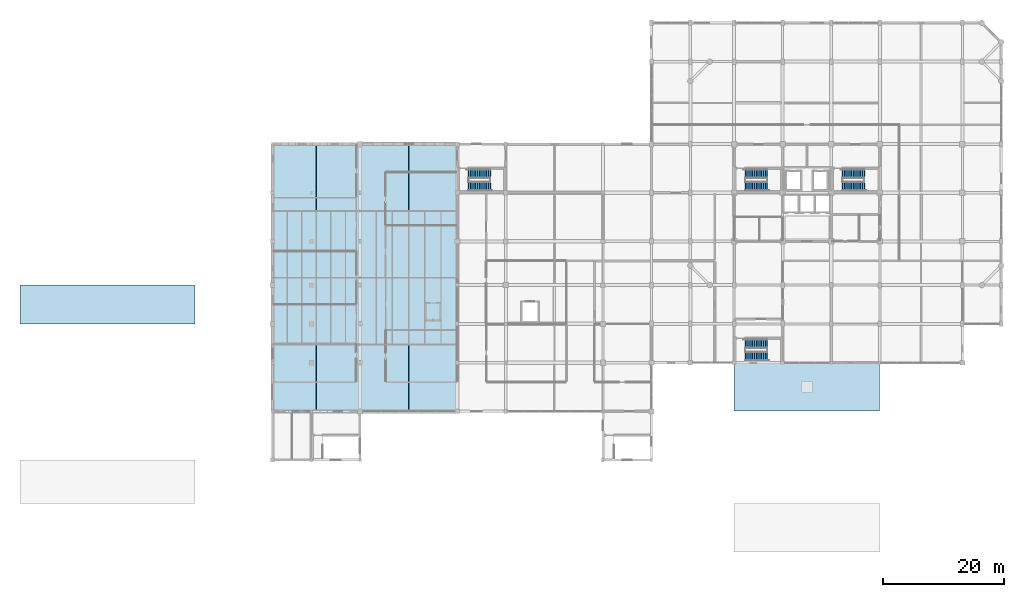
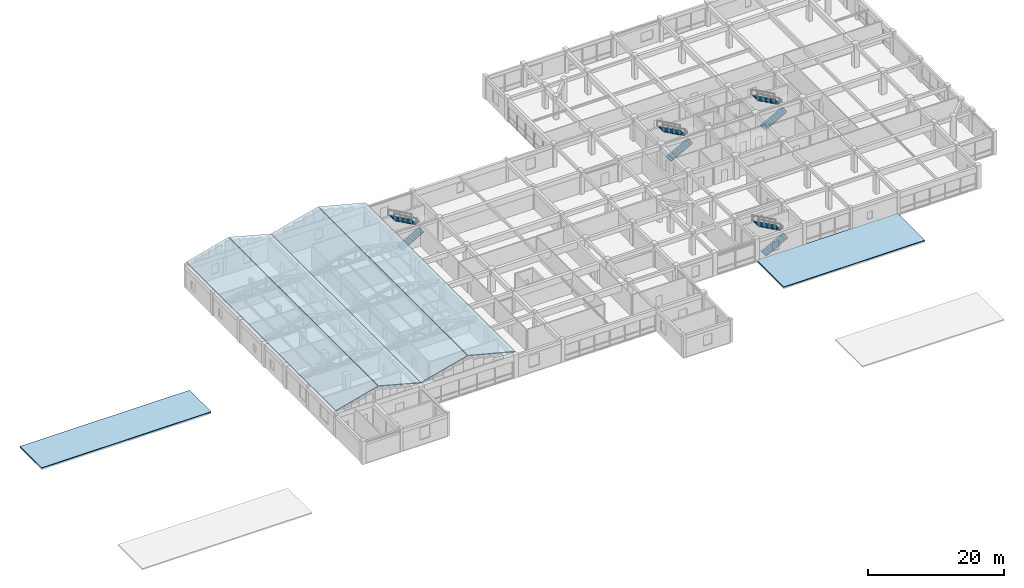
# One storey, part 33 of 35: 8 stair flights, 6 roofs, 4 elements without a shape of their own.
"""IFC4 building model written with IfcOpenShell, lengths in metres."""

from ifc_helpers import new_model, si_unit, direction, frame, origin, place, context, subcontext, project, spatial, polyline, outline, extrude, material, layer, layer_set, type_object, element, aggregate, save


model = new_model("IFC4")

# Units and contexts
model_context = context("Model", 3, precision=1e-05, world=origin(), true_north=direction((0.0, 1.0)))
body_context = subcontext(model_context, "Body", "Model", "MODEL_VIEW")
ifc_project = project(units=[si_unit("LENGTHUNIT", "METRE"), si_unit("AREAUNIT", "SQUARE_METRE"), si_unit("VOLUMEUNIT", "CUBIC_METRE"), si_unit("PLANEANGLEUNIT", "RADIAN"), si_unit("MASSUNIT", "GRAM", prefix="KILO")], contexts=[model_context])

# Site, building, storey
site_placement = place(None, origin())
site = spatial("IfcSite", under=ifc_project, at=site_placement, CompositionType="ELEMENT")
building_placement = place(site_placement, origin())
building = spatial("IfcBuilding", under=site, at=building_placement, Name="Vellmiral Cinema and Media Centre", CompositionType="ELEMENT")
storey_placement = place(building_placement, frame((0.0, 0.0, 15.60009765625)))
storey = spatial("IfcBuildingStorey", under=building, at=storey_placement, Name="L03", CompositionType="ELEMENT", Elevation=15.60009765625)

# Stair, stair flights
ifc_material_1 = material(Name="Concrete C40/50", Category="concrete")
stair_type = type_object("IfcStairType", Name="ST-2RET-420", PredefinedType="HALF_TURN_STAIR", material=ifc_material_1)
stair_1_placement = place(storey_placement, origin())
stair_1 = element("IfcStair", 1, at=stair_1_placement, inside=storey, type_object=stair_type, Name="Protected Escape Stair ST-P5 (L03)", PredefinedType="HALF_TURN_STAIR")
ifc_material_2 = material(Name="Concrete C40/50", Category="concrete")
stair_flight_type = type_object("IfcStairFlightType", Name="STF-STR-420", PredefinedType="STRAIGHT", material=ifc_material_2)
stair_flight_1_placement = place(storey_placement, frame((80.25, 88.25, 0.0), z_axis=(0.0, 0.0, 1.0), x_axis=(1.0, 0.0, 0.0)))
stair_flight_1 = element("IfcStairFlight", 2, at=stair_flight_1_placement, type_object=stair_flight_type, Name="ST-P5 flight 1", NumberOfRisers=13, NumberOfTreads=12, PredefinedType="STRAIGHT", RiserHeight=0.161538462, TreadLength=0.3, context=body_context, shape_type="SweptSolid", body=[
    extrude(outline(polyline([(-0.080078125, 0.0), (-0.080078125, 0.096923828125), (0.0, 0.16162109375), (0.300048828125, 0.16162109375), (0.300048828125, 0.322998046875), (0.60009765625, 0.322998046875), (0.60009765625, 0.484619140625), (0.89990234375, 0.484619140625), (0.89990234375, 0.646240234375), (1.199951171875, 0.646240234375), (1.199951171875, 0.8076171875), (1.5, 0.8076171875), (1.5, 0.96923828125), (1.800048828125, 0.96923828125), (1.800048828125, 1.130859375), (2.10009765625, 1.130859375), (2.10009765625, 1.292236328125), (2.39990234375, 1.292236328125), (2.39990234375, 1.453857421875), (2.699951171875, 1.453857421875), (2.699951171875, 1.615478515625), (3.0, 1.615478515625), (3.0, 1.77685546875), (3.300048828125, 1.77685546875), (3.300048828125, 1.9384765625), (3.60009765625, 1.9384765625), (3.60009765625, 2.10009765625), (3.68017578125, 2.10009765625), (3.68017578125, 1.940185546875), (0.179931640625, 0.0), (-0.080078125, 0.0)])), frame((0.0, 0.75, 0.0), z_axis=(0.0, -1.0, 0.0), x_axis=(1.0, 0.0, 0.0)), (0.0, 0.0, 1.0), 1.5),
])
stair_flight_2_placement = place(storey_placement, frame((83.85009765625, 90.35009765625, 2.099853515625), z_axis=(0.0, 0.0, 1.0), x_axis=(-1.0, 0.0, 0.0)))
stair_flight_2 = element("IfcStairFlight", 3, at=stair_flight_2_placement, type_object=stair_flight_type, Name="ST-P5 flight 2", NumberOfRisers=13, NumberOfTreads=12, PredefinedType="STRAIGHT", RiserHeight=0.161538462, TreadLength=0.3, context=body_context, shape_type="SweptSolid", body=[
    extrude(outline(polyline([(-0.080078125, 0.0), (-0.080078125, 0.096923828125), (0.0, 0.16162109375), (0.300048828125, 0.16162109375), (0.300048828125, 0.322998046875), (0.60009765625, 0.322998046875), (0.60009765625, 0.484619140625), (0.89990234375, 0.484619140625), (0.89990234375, 0.646240234375), (1.199951171875, 0.646240234375), (1.199951171875, 0.8076171875), (1.5, 0.8076171875), (1.5, 0.96923828125), (1.800048828125, 0.96923828125), (1.800048828125, 1.130859375), (2.10009765625, 1.130859375), (2.10009765625, 1.292236328125), (2.39990234375, 1.292236328125), (2.39990234375, 1.453857421875), (2.699951171875, 1.453857421875), (2.699951171875, 1.615478515625), (3.0, 1.615478515625), (3.0, 1.77685546875), (3.300048828125, 1.77685546875), (3.300048828125, 1.9384765625), (3.60009765625, 1.9384765625), (3.60009765625, 2.10009765625), (3.68017578125, 2.10009765625), (3.68017578125, 1.940185546875), (0.179931640625, 0.0), (-0.080078125, 0.0)])), frame((0.0, 0.75, 0.0), z_axis=(0.0, -1.0, 0.0), x_axis=(1.0, 0.0, 0.0)), (0.0, 0.0, 1.0), 1.5),
])
aggregate(stair_1, [stair_flight_1, stair_flight_2])

stair_2_placement = place(storey_placement, origin())
stair_2 = element("IfcStair", 4, at=stair_2_placement, inside=storey, type_object=stair_type, Name="Protected Escape Stair ST-P6 (L03)", PredefinedType="HALF_TURN_STAIR")
stair_flight_3_placement = place(storey_placement, frame((125.85009765625, 60.25, 0.0), z_axis=(0.0, 0.0, 1.0), x_axis=(1.0, 0.0, 0.0)))
stair_flight_3 = element("IfcStairFlight", 5, at=stair_flight_3_placement, type_object=stair_flight_type, Name="ST-P6 flight 1", NumberOfRisers=13, NumberOfTreads=12, PredefinedType="STRAIGHT", RiserHeight=0.161538462, TreadLength=0.3, context=body_context, shape_type="SweptSolid", body=[
    extrude(outline(polyline([(-0.080078125, 0.0), (-0.080078125, 0.096923828125), (0.0, 0.16162109375), (0.300048828125, 0.16162109375), (0.300048828125, 0.322998046875), (0.60009765625, 0.322998046875), (0.60009765625, 0.484619140625), (0.89990234375, 0.484619140625), (0.89990234375, 0.646240234375), (1.199951171875, 0.646240234375), (1.199951171875, 0.8076171875), (1.5, 0.8076171875), (1.5, 0.96923828125), (1.800048828125, 0.96923828125), (1.800048828125, 1.130859375), (2.10009765625, 1.130859375), (2.10009765625, 1.292236328125), (2.39990234375, 1.292236328125), (2.39990234375, 1.453857421875), (2.699951171875, 1.453857421875), (2.699951171875, 1.615478515625), (3.0, 1.615478515625), (3.0, 1.77685546875), (3.300048828125, 1.77685546875), (3.300048828125, 1.9384765625), (3.60009765625, 1.9384765625), (3.60009765625, 2.10009765625), (3.68017578125, 2.10009765625), (3.68017578125, 1.940185546875), (0.179931640625, 0.0), (-0.080078125, 0.0)])), frame((0.0, 0.75, 0.0), z_axis=(0.0, -1.0, 0.0), x_axis=(1.0, 0.0, 0.0)), (0.0, 0.0, 1.0), 1.5),
])
stair_flight_4_placement = place(storey_placement, frame((129.449951171875, 62.35009765625, 2.099853515625), z_axis=(0.0, 0.0, 1.0), x_axis=(-1.0, 0.0, 0.0)))
stair_flight_4 = element("IfcStairFlight", 6, at=stair_flight_4_placement, type_object=stair_flight_type, Name="ST-P6 flight 2", NumberOfRisers=13, NumberOfTreads=12, PredefinedType="STRAIGHT", RiserHeight=0.161538462, TreadLength=0.3, context=body_context, shape_type="SweptSolid", body=[
    extrude(outline(polyline([(-0.080078125, 0.0), (-0.080078125, 0.096923828125), (0.0, 0.16162109375), (0.300048828125, 0.16162109375), (0.300048828125, 0.322998046875), (0.60009765625, 0.322998046875), (0.60009765625, 0.484619140625), (0.89990234375, 0.484619140625), (0.89990234375, 0.646240234375), (1.199951171875, 0.646240234375), (1.199951171875, 0.8076171875), (1.5, 0.8076171875), (1.5, 0.96923828125), (1.800048828125, 0.96923828125), (1.800048828125, 1.130859375), (2.10009765625, 1.130859375), (2.10009765625, 1.292236328125), (2.39990234375, 1.292236328125), (2.39990234375, 1.453857421875), (2.699951171875, 1.453857421875), (2.699951171875, 1.615478515625), (3.0, 1.615478515625), (3.0, 1.77685546875), (3.300048828125, 1.77685546875), (3.300048828125, 1.9384765625), (3.60009765625, 1.9384765625), (3.60009765625, 2.10009765625), (3.68017578125, 2.10009765625), (3.68017578125, 1.940185546875), (0.179931640625, 0.0), (-0.080078125, 0.0)])), frame((0.0, 0.75, 0.0), z_axis=(0.0, -1.0, 0.0), x_axis=(1.0, 0.0, 0.0)), (0.0, 0.0, 1.0), 1.5),
])
aggregate(stair_2, [stair_flight_3, stair_flight_4])

stair_3_placement = place(storey_placement, origin())
stair_3 = element("IfcStair", 7, at=stair_3_placement, inside=storey, type_object=stair_type, Name="Protected Escape Stair ST-T1 (L03)", PredefinedType="HALF_TURN_STAIR")
stair_flight_5_placement = place(storey_placement, frame((125.85009765625, 88.25, 0.0), z_axis=(0.0, 0.0, 1.0), x_axis=(1.0, 0.0, 0.0)))
stair_flight_5 = element("IfcStairFlight", 8, at=stair_flight_5_placement, type_object=stair_flight_type, Name="ST-T1 flight 1", NumberOfRisers=13, NumberOfTreads=12, PredefinedType="STRAIGHT", RiserHeight=0.161538462, TreadLength=0.3, context=body_context, shape_type="SweptSolid", body=[
    extrude(outline(polyline([(-0.080078125, 0.0), (-0.080078125, 0.096923828125), (0.0, 0.16162109375), (0.300048828125, 0.16162109375), (0.300048828125, 0.322998046875), (0.60009765625, 0.322998046875), (0.60009765625, 0.484619140625), (0.89990234375, 0.484619140625), (0.89990234375, 0.646240234375), (1.199951171875, 0.646240234375), (1.199951171875, 0.8076171875), (1.5, 0.8076171875), (1.5, 0.96923828125), (1.800048828125, 0.96923828125), (1.800048828125, 1.130859375), (2.10009765625, 1.130859375), (2.10009765625, 1.292236328125), (2.39990234375, 1.292236328125), (2.39990234375, 1.453857421875), (2.699951171875, 1.453857421875), (2.699951171875, 1.615478515625), (3.0, 1.615478515625), (3.0, 1.77685546875), (3.300048828125, 1.77685546875), (3.300048828125, 1.9384765625), (3.60009765625, 1.9384765625), (3.60009765625, 2.10009765625), (3.68017578125, 2.10009765625), (3.68017578125, 1.940185546875), (0.179931640625, 0.0), (-0.080078125, 0.0)])), frame((0.0, 0.75, 0.0), z_axis=(0.0, -1.0, 0.0), x_axis=(1.0, 0.0, 0.0)), (0.0, 0.0, 1.0), 1.5),
])
stair_flight_6_placement = place(storey_placement, frame((129.449951171875, 90.35009765625, 2.099853515625), z_axis=(0.0, 0.0, 1.0), x_axis=(-1.0, 0.0, 0.0)))
stair_flight_6 = element("IfcStairFlight", 9, at=stair_flight_6_placement, type_object=stair_flight_type, Name="ST-T1 flight 2", NumberOfRisers=13, NumberOfTreads=12, PredefinedType="STRAIGHT", RiserHeight=0.161538462, TreadLength=0.3, context=body_context, shape_type="SweptSolid", body=[
    extrude(outline(polyline([(-0.080078125, 0.0), (-0.080078125, 0.096923828125), (0.0, 0.16162109375), (0.300048828125, 0.16162109375), (0.300048828125, 0.322998046875), (0.60009765625, 0.322998046875), (0.60009765625, 0.484619140625), (0.89990234375, 0.484619140625), (0.89990234375, 0.646240234375), (1.199951171875, 0.646240234375), (1.199951171875, 0.8076171875), (1.5, 0.8076171875), (1.5, 0.96923828125), (1.800048828125, 0.96923828125), (1.800048828125, 1.130859375), (2.10009765625, 1.130859375), (2.10009765625, 1.292236328125), (2.39990234375, 1.292236328125), (2.39990234375, 1.453857421875), (2.699951171875, 1.453857421875), (2.699951171875, 1.615478515625), (3.0, 1.615478515625), (3.0, 1.77685546875), (3.300048828125, 1.77685546875), (3.300048828125, 1.9384765625), (3.60009765625, 1.9384765625), (3.60009765625, 2.10009765625), (3.68017578125, 2.10009765625), (3.68017578125, 1.940185546875), (0.179931640625, 0.0), (-0.080078125, 0.0)])), frame((0.0, 0.75, 0.0), z_axis=(0.0, -1.0, 0.0), x_axis=(1.0, 0.0, 0.0)), (0.0, 0.0, 1.0), 1.5),
])
aggregate(stair_3, [stair_flight_5, stair_flight_6])

stair_4_placement = place(storey_placement, origin())
stair_4 = element("IfcStair", 10, at=stair_4_placement, inside=storey, type_object=stair_type, Name="Protected Escape Stair ST-T2 (L03)", PredefinedType="HALF_TURN_STAIR")
stair_flight_7_placement = place(storey_placement, frame((141.85009765625, 88.25, 0.0), z_axis=(0.0, 0.0, 1.0), x_axis=(1.0, 0.0, 0.0)))
stair_flight_7 = element("IfcStairFlight", 11, at=stair_flight_7_placement, type_object=stair_flight_type, Name="ST-T2 flight 1", NumberOfRisers=13, NumberOfTreads=12, PredefinedType="STRAIGHT", RiserHeight=0.161538462, TreadLength=0.3, context=body_context, shape_type="SweptSolid", body=[
    extrude(outline(polyline([(-0.080078125, 0.0), (-0.080078125, 0.096923828125), (0.0, 0.16162109375), (0.300048828125, 0.16162109375), (0.300048828125, 0.322998046875), (0.60009765625, 0.322998046875), (0.60009765625, 0.484619140625), (0.89990234375, 0.484619140625), (0.89990234375, 0.646240234375), (1.199951171875, 0.646240234375), (1.199951171875, 0.8076171875), (1.5, 0.8076171875), (1.5, 0.96923828125), (1.800048828125, 0.96923828125), (1.800048828125, 1.130859375), (2.10009765625, 1.130859375), (2.10009765625, 1.292236328125), (2.39990234375, 1.292236328125), (2.39990234375, 1.453857421875), (2.699951171875, 1.453857421875), (2.699951171875, 1.615478515625), (3.0, 1.615478515625), (3.0, 1.77685546875), (3.300048828125, 1.77685546875), (3.300048828125, 1.9384765625), (3.60009765625, 1.9384765625), (3.60009765625, 2.10009765625), (3.68017578125, 2.10009765625), (3.68017578125, 1.940185546875), (0.179931640625, 0.0), (-0.080078125, 0.0)])), frame((0.0, 0.75, 0.0), z_axis=(0.0, -1.0, 0.0), x_axis=(1.0, 0.0, 0.0)), (0.0, 0.0, 1.0), 1.5),
])
stair_flight_8_placement = place(storey_placement, frame((145.449951171875, 90.35009765625, 2.099853515625), z_axis=(0.0, 0.0, 1.0), x_axis=(-1.0, 0.0, 0.0)))
stair_flight_8 = element("IfcStairFlight", 12, at=stair_flight_8_placement, type_object=stair_flight_type, Name="ST-T2 flight 2", NumberOfRisers=13, NumberOfTreads=12, PredefinedType="STRAIGHT", RiserHeight=0.161538462, TreadLength=0.3, context=body_context, shape_type="SweptSolid", body=[
    extrude(outline(polyline([(-0.080078125, 0.0), (-0.080078125, 0.096923828125), (0.0, 0.16162109375), (0.300048828125, 0.16162109375), (0.300048828125, 0.322998046875), (0.60009765625, 0.322998046875), (0.60009765625, 0.484619140625), (0.89990234375, 0.484619140625), (0.89990234375, 0.646240234375), (1.199951171875, 0.646240234375), (1.199951171875, 0.8076171875), (1.5, 0.8076171875), (1.5, 0.96923828125), (1.800048828125, 0.96923828125), (1.800048828125, 1.130859375), (2.10009765625, 1.130859375), (2.10009765625, 1.292236328125), (2.39990234375, 1.292236328125), (2.39990234375, 1.453857421875), (2.699951171875, 1.453857421875), (2.699951171875, 1.615478515625), (3.0, 1.615478515625), (3.0, 1.77685546875), (3.300048828125, 1.77685546875), (3.300048828125, 1.9384765625), (3.60009765625, 1.9384765625), (3.60009765625, 2.10009765625), (3.68017578125, 2.10009765625), (3.68017578125, 1.940185546875), (0.179931640625, 0.0), (-0.080078125, 0.0)])), frame((0.0, 0.75, 0.0), z_axis=(0.0, -1.0, 0.0), x_axis=(1.0, 0.0, 0.0)), (0.0, 0.0, 1.0), 1.5),
])
aggregate(stair_4, [stair_flight_7, stair_flight_8])

# Roofs
ifc_material_3 = material(Name="Catalan Glazed Ceramic Vault Tile")
ifc_layer_1 = layer(ifc_material_3, 0.139892578125, Name="Catalan Glazed Ceramic Vault Tile")
ifc_layer_set_1 = layer_set([ifc_layer_1], Name="Catalan Glazed Ceramic Vault Tile")
roof_type_1 = type_object("IfcRoofType", Name="ROOF-BARREL-VAULT", PredefinedType="BARREL_ROOF", material=ifc_layer_set_1)
for number, where, z_axis, x_axis, name in (
    (13, (48.0, 51.199951171875, 4.572509765625), (-0.258837655444, 0.0, 0.965920839471), (0.965920839471, 0.0, 0.258837655444), "Central Media Library West Barrel Vault Catalan Ceramic Vault A"),
    (14, (55.243408203125, 51.199951171875, 6.490234375), (0.258837655444, 0.0, 0.965920839471), (0.965920839471, 0.0, -0.258837655444), "Central Media Library West Barrel Vault Catalan Ceramic Vault B"),
):
    element("IfcRoof", number, at=place(storey_placement, frame(where, z_axis=z_axis, x_axis=x_axis)), inside=storey, type_object=roof_type_1, Name=name, PredefinedType="BARREL_ROOF", context=body_context, shape_type="SweptSolid", body=[
        extrude(outline(polyline([(0.0, 0.0), (7.408986169659277, 0.0), (7.408986169659277, 44.0), (0.0, 44.0), (0.0, 0.0)])), origin(), (0.0, 0.0, -1.0), 0.139892578125),
    ])
for number, where, z_axis, x_axis, name in (
    (15, (62.39990234375, 51.199951171875, 4.57177734375), (-0.250369381373, 0.0, 0.968150387528), (0.968150387528, 0.0, 0.250369381373), "Central Editing Hall East Barrel Vault Catalan Ceramic Vault A"),
    (16, (70.4423828125, 51.199951171875, 6.629638671875), (0.250369381373, 0.0, 0.968150387528), (0.968150387528, 0.0, -0.250369381373), "Central Editing Hall East Barrel Vault Catalan Ceramic Vault B"),
):
    element("IfcRoof", number, at=place(storey_placement, frame(where, z_axis=z_axis, x_axis=x_axis)), inside=storey, type_object=roof_type_1, Name=name, PredefinedType="BARREL_ROOF", context=body_context, shape_type="SweptSolid", body=[
        extrude(outline(polyline([(0.0, 0.0), (8.219301085616562, 0.0), (8.219301085616562, 44.0), (0.0, 44.0), (0.0, 0.0)])), origin(), (0.0, 0.0, -1.0), 0.139892578125),
    ])
ifc_material_4 = material(Name="Insulated Waterproof Roof Build-up")
ifc_layer_2 = layer(ifc_material_4, 0.139892578125, Name="Insulated Waterproof Roof Build-up")
ifc_layer_set_2 = layer_set([ifc_layer_2], Name="Insulated Waterproof Roof Build-up")
roof_type_2 = type_object("IfcRoofType", Name="ROOF-FLAT-MEMBRANE", PredefinedType="FLAT_ROOF", material=ifc_layer_set_2)
roof_1_placement = place(storey_placement, origin())
element("IfcRoof", 17, at=roof_1_placement, inside=storey, type_object=roof_type_2, Name="Setback Flat Waterproof Roof WING3-W2", PredefinedType="FLAT_ROOF", context=body_context, shape_type="SweptSolid", body=[
    extrude(outline(polyline([(6.39990234375, 65.6201171875), (35.179931640625, 65.6201171875), (35.179931640625, 71.97998046875), (6.39990234375, 71.97998046875), (6.39990234375, 65.6201171875)])), origin(), (0.0, 0.0, 1.0), 0.139892578125),
])
roof_2_placement = place(storey_placement, origin())
element("IfcRoof", 18, at=roof_2_placement, inside=storey, type_object=roof_type_2, Name="Setback Flat Waterproof Roof WING3-E2", PredefinedType="FLAT_ROOF", context=body_context, shape_type="SweptSolid", body=[
    extrude(outline(polyline([(124.02001953125, 51.219970703125), (147.97998046875, 51.219970703125), (147.97998046875, 59.179931640625), (124.02001953125, 59.179931640625), (124.02001953125, 51.219970703125)])), origin(), (0.0, 0.0, 1.0), 0.139892578125),
])

save(model, "model.ifc")
